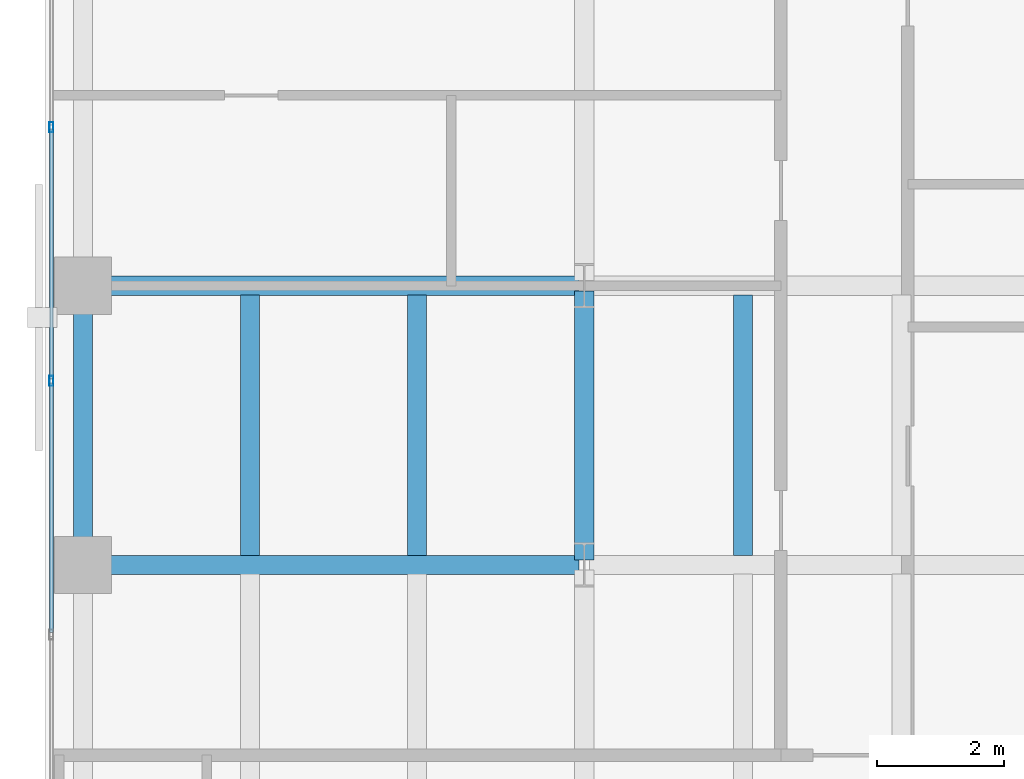
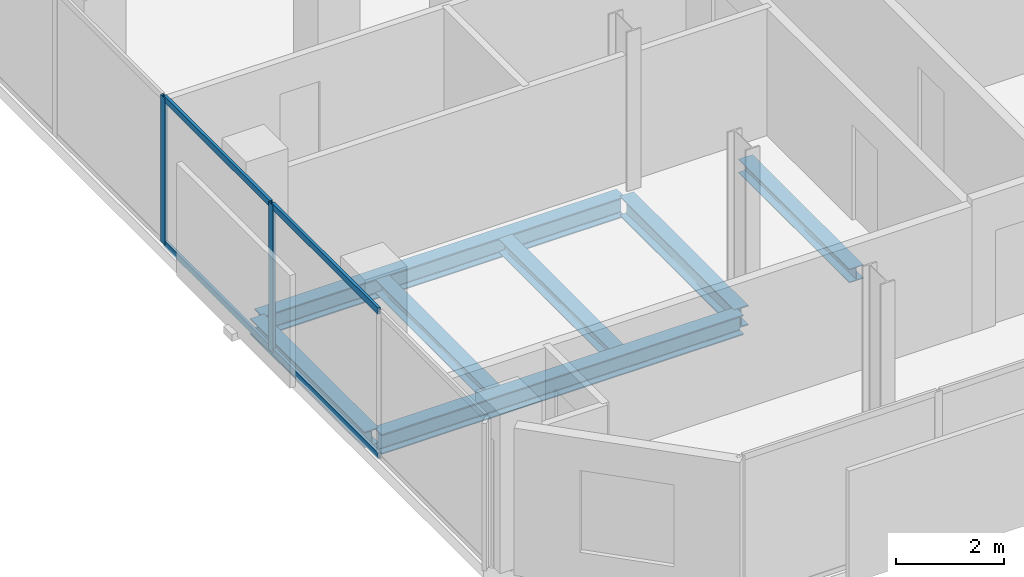
# One storey, part 5 of 34: 7 beams, 6 members, 1 element without a shape of its own.
"""IFC4 building model written with IfcOpenShell, lengths in metres."""

from ifc_helpers import new_model, si_unit, direction, frame, origin, origin_2d, place, context, subcontext, project, spatial, hollow_rectangle, i_section, extrude, material, layer, layer_set, material_profile, profile_set, type_object, element, aggregate, save


model = new_model("IFC4")

# Units and contexts
model_context = context("Model", 3, precision=1e-05, world=origin(), true_north=direction((0.0, 1.0)))
body_context = subcontext(model_context, "Body", "Model", "MODEL_VIEW")
ifc_project = project(units=[si_unit("LENGTHUNIT", "METRE"), si_unit("AREAUNIT", "SQUARE_METRE"), si_unit("VOLUMEUNIT", "CUBIC_METRE"), si_unit("PLANEANGLEUNIT", "RADIAN"), si_unit("MASSUNIT", "GRAM", prefix="KILO")], contexts=[model_context])

# Site, building, storey
site_placement = place(None, origin())
site = spatial("IfcSite", under=ifc_project, at=site_placement, CompositionType="ELEMENT")
building_placement = place(site_placement, origin())
building = spatial("IfcBuilding", under=site, at=building_placement, Name="Catumbela Crestline Tower", CompositionType="ELEMENT")
storey_placement = place(building_placement, frame((0.0, 0.0, 115.2)))
storey = spatial("IfcBuildingStorey", under=building, at=storey_placement, Name="L29", CompositionType="ELEMENT", Elevation=115.2)

# Beams
ifc_material_1 = material(Name="Structural steel S355J2", Category="steel")
ifc_material_profile_1 = material_profile(ifc_material_1, i_section(OverallWidth=0.3, OverallDepth=0.45, WebThickness=0.014, FlangeThickness=0.026, FilletRadius=0.027, at=origin_2d()), Name="HEB 450")
ifc_profile_set_1 = profile_set([ifc_material_profile_1], Name="Structural steel S355J2")
beam_type_1 = type_object("IfcBeamType", Name="BG-HEB450", PredefinedType="BEAM", material=ifc_profile_set_1)
for number, where, z_axis, x_axis, name in (
    (1, (0.68, 13.6, -0.485), (1.0, 0.0, 0.0), (0.0, 1.0, 0.0), "L29 Beam BM-L29-WEW46"),
    (2, (0.68, 18.0, -0.485), (1.0, 0.0, 0.0), (0.0, 1.0, 0.0), "L29 Beam BM-L29-WEW49"),
):
    element("IfcBeam", number, at=place(storey_placement, frame(where, z_axis=z_axis, x_axis=x_axis)), inside=storey, type_object=beam_type_1, Name=name, PredefinedType="BEAM", context=body_context, shape_type="SweptSolid", body=[
        extrude(i_section(OverallWidth=0.3, OverallDepth=0.45, WebThickness=0.014, FlangeThickness=0.026, FilletRadius=0.027, at=origin_2d()), origin(), (0.0, 0.0, 1.0), 7.74),
    ])
beam_1_placement = place(storey_placement, frame((8.5, 13.68, -0.485), z_axis=(0.0, 1.0, 0.0), x_axis=(-1.0, 0.0, 0.0)))
element("IfcBeam", 3, at=beam_1_placement, inside=storey, type_object=beam_type_1, Name="L29 Beam BM-L29-WNS56", PredefinedType="BEAM", context=body_context, shape_type="SweptSolid", body=[
    extrude(i_section(OverallWidth=0.3, OverallDepth=0.45, WebThickness=0.014, FlangeThickness=0.026, FilletRadius=0.027, at=origin_2d()), origin(), (0.0, 0.0, 1.0), 4.24),
])
ifc_material_profile_2 = material_profile(ifc_material_1, i_section(OverallWidth=0.3, OverallDepth=0.31, WebThickness=0.009, FlangeThickness=0.0155, FilletRadius=0.027, at=origin_2d()), Name="HEA 320")
ifc_profile_set_2 = profile_set([ifc_material_profile_2], Name="Structural steel S355J2")
beam_type_2 = type_object("IfcBeamType", Name="BJ-HEA320", PredefinedType="JOIST", material=ifc_profile_set_2)
for number, where, z_axis, x_axis, name in (
    (4, (3.233, 13.747, -0.415), (0.0, 1.0, 0.0), (-1.0, 0.0, 0.0), "L29 Joist JS-L29-WG69"),
    (5, (5.867, 13.747, -0.415), (0.0, 1.0, 0.0), (-1.0, 0.0, 0.0), "L29 Joist JS-L29-WG70"),
    (6, (11.0, 13.747, -0.415), (0.0, 1.0, 0.0), (-1.0, 0.0, 0.0), "L29 Joist JS-L29-WG71"),
):
    element("IfcBeam", number, at=place(storey_placement, frame(where, z_axis=z_axis, x_axis=x_axis)), inside=storey, type_object=beam_type_2, Name=name, PredefinedType="JOIST", context=body_context, shape_type="SweptSolid", body=[
        extrude(i_section(OverallWidth=0.3, OverallDepth=0.31, WebThickness=0.009, FlangeThickness=0.0155, FilletRadius=0.027, at=origin_2d()), origin(), (0.0, 0.0, 1.0), 4.106),
    ])

# Curtain wall, members
ifc_material_2 = material(Name="Aluminium alloy AW-6060-T66", Category="aluminium")
ifc_layer = layer(ifc_material_2, 0.18, Name="Aluminium alloy AW-6060-T66")
ifc_layer_set = layer_set([ifc_layer], Name="Aluminium alloy AW-6060-T66")
curtain_wall_type = type_object("IfcCurtainWallType", Name="CWU-Z2", PredefinedType="USERDEFINED", material=ifc_layer_set)
curtain_wall_placement = place(storey_placement, origin())
curtain_wall = element("IfcCurtainWall", 7, at=curtain_wall_placement, inside=storey, type_object=curtain_wall_type, Name="L29 Unitised Curtain Wall CW-L29-E9S1", ObjectType="UNITISED", PredefinedType="USERDEFINED")
ifc_material_profile_3 = material_profile(ifc_material_2, hollow_rectangle(XDim=0.06, YDim=0.16, WallThickness=0.004, at=origin_2d()), Name="ALU 160x60x4")
ifc_profile_set_3 = profile_set([ifc_material_profile_3], Name="Aluminium alloy AW-6060-T66")
member_type_1 = type_object("IfcMemberType", Name="MUL-160X60", PredefinedType="MULLION", material=ifc_profile_set_3)
member_1_placement = place(storey_placement, frame((0.1, 20.5, 0.0), z_axis=(0.0, 0.0, 1.0), x_axis=(1.0, 0.0, 0.0)))
member_1 = element("IfcMember", 8, at=member_1_placement, type_object=member_type_1, Name="CWU-Z2 mullion 7", PredefinedType="MULLION", context=body_context, shape_type="SweptSolid", body=[
    extrude(hollow_rectangle(XDim=0.06, YDim=0.16, WallThickness=0.004, at=origin_2d()), origin(), (0.0, 0.0, 1.0), 3.33),
])
member_2_placement = place(storey_placement, frame((0.1, 16.5, 0.0), z_axis=(0.0, 0.0, 1.0), x_axis=(1.0, 0.0, 0.0)))
member_2 = element("IfcMember", 9, at=member_2_placement, type_object=member_type_1, Name="CWU-Z2 mullion 8", PredefinedType="MULLION", context=body_context, shape_type="SweptSolid", body=[
    extrude(hollow_rectangle(XDim=0.06, YDim=0.16, WallThickness=0.004, at=origin_2d()), origin(), (0.0, 0.0, 1.0), 3.33),
])

# Beam
ifc_material_profile_4 = material_profile(ifc_material_1, i_section(OverallWidth=0.3, OverallDepth=0.36, WebThickness=0.0125, FlangeThickness=0.0225, FilletRadius=0.027, at=origin_2d()), Name="HEB 360")
ifc_profile_set_4 = profile_set([ifc_material_profile_4], Name="Structural steel S355J2")
beam_type_3 = type_object("IfcBeamType", Name="BS-HEB360", PredefinedType="SPANDREL", material=ifc_profile_set_4)
beam_2_placement = place(storey_placement, frame((0.6, 13.68, -0.44), z_axis=(0.0, 1.0, 0.0), x_axis=(-1.0, 0.0, 0.0)))
element("IfcBeam", 10, at=beam_2_placement, inside=storey, type_object=beam_type_3, Name="L29 Spandrel SP-L29-WNS53", PredefinedType="SPANDREL", context=body_context, shape_type="SweptSolid", body=[
    extrude(i_section(OverallWidth=0.3, OverallDepth=0.36, WebThickness=0.0125, FlangeThickness=0.0225, FilletRadius=0.027, at=origin_2d()), origin(), (0.0, 0.0, 1.0), 4.24),
])

# Member
ifc_material_profile_5 = material_profile(ifc_material_2, hollow_rectangle(XDim=0.06, YDim=0.14, WallThickness=0.004, at=origin_2d()), Name="ALU 140x60x4")
ifc_profile_set_5 = profile_set([ifc_material_profile_5], Name="Aluminium alloy AW-6060-T66")
member_type_2 = type_object("IfcMemberType", Name="TRN-140X60", PredefinedType="USERDEFINED", material=ifc_profile_set_5)
member_3_placement = place(storey_placement, frame((0.1, 20.4675, 0.03), z_axis=(0.0, -1.0, 0.0), x_axis=(1.0, 0.0, 0.0)))
member_3 = element("IfcMember", 11, at=member_3_placement, type_object=member_type_2, Name="CWU-Z2 transom 7.1", ObjectType="TRANSOM", PredefinedType="USERDEFINED", context=body_context, shape_type="SweptSolid", body=[
    extrude(hollow_rectangle(XDim=0.06, YDim=0.14, WallThickness=0.004, at=origin_2d()), origin(), (0.0, 0.0, 1.0), 3.935),
])

member_4_placement = place(storey_placement, frame((0.1, 20.4675, 3.3), z_axis=(0.0, -1.0, 0.0), x_axis=(1.0, 0.0, 0.0)))
member_4 = element("IfcMember", 12, at=member_4_placement, type_object=member_type_2, Name="CWU-Z2 transom 7.2", ObjectType="TRANSOM", PredefinedType="USERDEFINED", context=body_context, shape_type="SweptSolid", body=[
    extrude(hollow_rectangle(XDim=0.06, YDim=0.14, WallThickness=0.004, at=origin_2d()), origin(), (0.0, 0.0, 1.0), 3.935),
])

member_5_placement = place(storey_placement, frame((0.1, 16.4675, 0.03), z_axis=(0.0, -1.0, 0.0), x_axis=(1.0, 0.0, 0.0)))
member_5 = element("IfcMember", 13, at=member_5_placement, type_object=member_type_2, Name="CWU-Z2 transom 8.1", ObjectType="TRANSOM", PredefinedType="USERDEFINED", context=body_context, shape_type="SweptSolid", body=[
    extrude(hollow_rectangle(XDim=0.06, YDim=0.14, WallThickness=0.004, at=origin_2d()), origin(), (0.0, 0.0, 1.0), 3.935),
])

member_6_placement = place(storey_placement, frame((0.1, 16.4675, 3.3), z_axis=(0.0, -1.0, 0.0), x_axis=(1.0, 0.0, 0.0)))
member_6 = element("IfcMember", 14, at=member_6_placement, type_object=member_type_2, Name="CWU-Z2 transom 8.2", ObjectType="TRANSOM", PredefinedType="USERDEFINED", context=body_context, shape_type="SweptSolid", body=[
    extrude(hollow_rectangle(XDim=0.06, YDim=0.14, WallThickness=0.004, at=origin_2d()), origin(), (0.0, 0.0, 1.0), 3.935),
])

aggregate(curtain_wall, [member_1, member_2, member_3, member_4, member_5, member_6])

save(model, "model.ifc")
